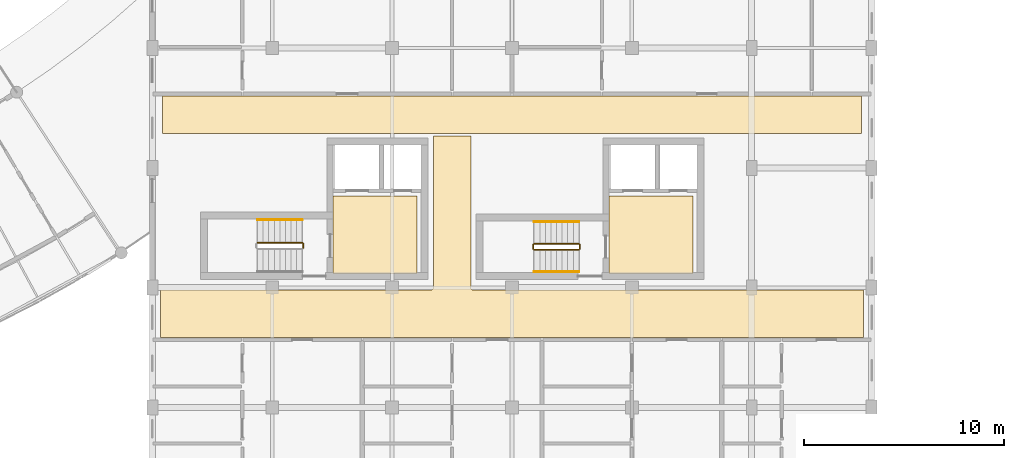
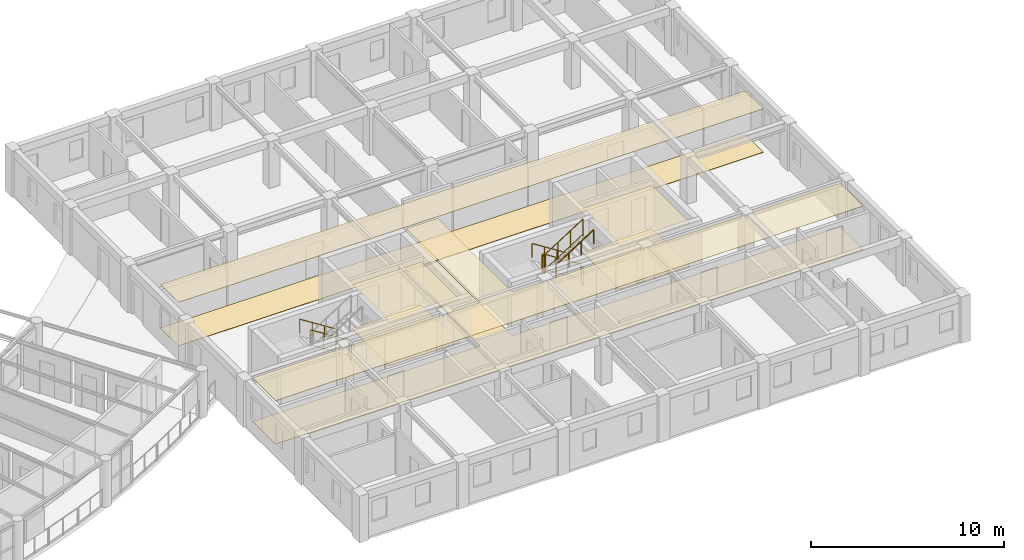
# One storey, part 93 of 100: 9 railings, 8 coverings.
"""IFC4 building model written with IfcOpenShell, lengths in metres."""

import ifcopenshell
import ifcopenshell.guid

model = None  # the IFC model being written
_history = None  # IfcOwnerHistory: only IFC2X3 demands one
_inside = {}  # id of a spatial element -> (the spatial element, [elements in it])
_under = {}  # id of a project, library or spatial element -> (it, [spatial elements below it])
_declared = {}  # id of a project -> (the project, [libraries it declares])
_typed = {}  # id of a type object -> (the type object, [elements of that type])
_made_of = {}  # id of a material, layer set ... -> (it, [elements and type objects made of it])


def new_model(schema):
    """Start an empty IFC model of exactly this schema.

    Asked for "IFC4X3", IfcOpenShell would pick the latest addendum, in which some entities
    have other attributes; the version numbers below select the first issue.
    IFC2X3 requires an IfcOwnerHistory on every rooted entity: one is made here for all.
    """
    global model, _history
    if schema == "IFC4X3":
        model = ifcopenshell.file(schema_version=(4, 3, 0, 0))
    else:
        model = ifcopenshell.file(schema=schema)
    _inside.clear()
    _under.clear()
    _declared.clear()
    _typed.clear()
    _made_of.clear()
    _history = None
    if model.schema == "IFC2X3":
        org = make("IfcOrganization", Name="unknown")
        user = make(
            "IfcPersonAndOrganization",
            ThePerson=make("IfcPerson", FamilyName="unknown"),
            TheOrganization=org,
        )
        app = make(
            "IfcApplication",
            ApplicationDeveloper=org,
            Version="unknown",
            ApplicationFullName="unknown",
            ApplicationIdentifier="unknown",
        )
        _history = make(
            "IfcOwnerHistory",
            OwningUser=user,
            OwningApplication=app,
            ChangeAction="ADDED",
            CreationDate=0,
        )
    return model


def make(cls, **values):
    """One entity of the class cls with the attributes given. An attribute that is None is left unset."""
    return model.create_entity(
        cls, **{name: value for name, value in values.items() if value is not None}
    )


def rooted(cls, **values):
    """An entity with a GlobalId (a new one), such as an element, a storey or a relation."""
    return make(cls, GlobalId=ifcopenshell.guid.new(), OwnerHistory=_history, **values)


def si_unit(unit_type, name, prefix=None):
    """IfcSIUnit, for example si_unit("LENGTHUNIT", "METRE", prefix="MILLI")."""
    return make("IfcSIUnit", UnitType=unit_type, Prefix=prefix, Name=name)


def assignment(units):
    """IfcUnitAssignment: the units of a project."""
    return None if units is None else make("IfcUnitAssignment", Units=units)


def point(xyz):
    """IfcCartesianPoint."""
    return None if xyz is None else make("IfcCartesianPoint", Coordinates=xyz)


def direction(xyz):
    """IfcDirection."""
    return None if xyz is None else make("IfcDirection", DirectionRatios=xyz)


def frame(location, z_axis=None, x_axis=None):
    """IfcAxis2Placement3D, a coordinate frame: its origin and axes. An axis left out is left unset."""
    return make(
        "IfcAxis2Placement3D",
        Location=point(location),
        Axis=direction(z_axis),
        RefDirection=direction(x_axis),
    )


def frame_2d(location, x_axis=None):
    """IfcAxis2Placement2D, a coordinate frame in the plane: its origin and x axis."""
    return make(
        "IfcAxis2Placement2D", Location=point(location), RefDirection=direction(x_axis)
    )


def origin():
    """The frame at (0, 0, 0) with its axes left unset."""
    return frame((0.0, 0.0, 0.0))


def origin_2d():
    """The frame at (0, 0) in the plane with its x axis left unset."""
    return frame_2d((0.0, 0.0))


def place(relative_to, where):
    """IfcLocalPlacement: puts the frame where relative to a parent placement (None: the world)."""
    return make(
        "IfcLocalPlacement", PlacementRelTo=relative_to, RelativePlacement=where
    )


def context(
    kind, dimensions, precision=None, world=None, true_north=None, identifier=None
):
    """IfcGeometricRepresentationContext, for example the 3D "Model" context."""
    return make(
        "IfcGeometricRepresentationContext",
        ContextIdentifier=identifier,
        ContextType=kind,
        CoordinateSpaceDimension=dimensions,
        Precision=precision,
        WorldCoordinateSystem=world,
        TrueNorth=true_north,
    )


def subcontext(parent, identifier, kind, view, scale=None):
    """IfcGeometricRepresentationSubContext, for example "Body" below "Model"."""
    return make(
        "IfcGeometricRepresentationSubContext",
        ContextIdentifier=identifier,
        ContextType=kind,
        ParentContext=parent,
        TargetScale=scale,
        TargetView=view,
    )


def project(units=None, contexts=None):
    """IfcProject with its units and contexts."""
    return rooted(
        "IfcProject",
        Name="project",
        RepresentationContexts=contexts,
        UnitsInContext=assignment(units),
    )


def spatial(cls, under=None, at=None, **own):
    """A site, building, storey or space (cls), placed at a placement, below another one or the project."""
    s = rooted(cls, ObjectPlacement=at, **own)
    if under is not None:
        _under.setdefault(under.id(), (under, []))[1].append(s)
    return s


def polyline(points):
    """IfcPolyline through the points."""
    return make("IfcPolyline", Points=[point(p) for p in points])


def profile(cls, at=None, kind="AREA", **sizes):
    """A parametric profile (cls). Its sizes go by their IFC names, for example OverallWidth=200.0."""
    return make(cls, ProfileType=kind, Position=at, **sizes)


def circle(**sizes):
    """IfcCircleProfileDef."""
    return profile("IfcCircleProfileDef", **sizes)


def outline(outer, holes=None, kind="AREA"):
    """IfcArbitraryClosedProfileDef: a profile drawn as a closed curve; with holes, ...WithVoids."""
    if holes is None:
        return make("IfcArbitraryClosedProfileDef", ProfileType=kind, OuterCurve=outer)
    return make(
        "IfcArbitraryProfileDefWithVoids",
        ProfileType=kind,
        OuterCurve=outer,
        InnerCurves=holes,
    )


def extrude(swept, where, along, depth):
    """IfcExtrudedAreaSolid: the profile swept, set in the frame where, extruded along a direction by depth."""
    return make(
        "IfcExtrudedAreaSolid",
        SweptArea=swept,
        Position=where,
        ExtrudedDirection=direction(along),
        Depth=depth,
    )


def shape(context_of_items, identifier, shape_type, items):
    """IfcShapeRepresentation: the items that make up one representation, for example the "Body"."""
    return make(
        "IfcShapeRepresentation",
        ContextOfItems=context_of_items,
        RepresentationIdentifier=identifier,
        RepresentationType=shape_type,
        Items=items,
    )


def material(Name=None, Category=None):
    """IfcMaterial."""
    return make("IfcMaterial", Name=Name, Category=Category)


def layer(
    of_material, thickness, ventilated=None, Name=None, Category=None, Priority=None
):
    """IfcMaterialLayer: one layer of a wall or slab, of a material (None: an air gap)."""
    return make(
        "IfcMaterialLayer",
        Material=of_material,
        LayerThickness=thickness,
        IsVentilated=ventilated,
        Name=Name,
        Category=Category,
        Priority=Priority,
    )


def layer_set(layers, Name=None):
    """IfcMaterialLayerSet."""
    return make("IfcMaterialLayerSet", MaterialLayers=layers, LayerSetName=Name)


def made_of(thing, what):
    """Note that an element or type object is made of a material, layer set ...; save() writes the relation."""
    if what is not None:
        _made_of.setdefault(what.id(), (what, []))[1].append(thing)
    return thing


def type_object(cls, material=None, **own):
    """A type object (cls), such as IfcWallType, which elements share."""
    return made_of(rooted(cls, **own), material)


def element(
    cls,
    number,
    at=None,
    inside=None,
    cuts=None,
    type_object=None,
    material=None,
    context=None,
    identifier="Body",
    shape_type=None,
    held_by="IfcProductDefinitionShape",
    body=None,
    shapes=None,
    **own,
):
    """One element of the class cls, such as IfcWall. Its Tag is "e" and its number.

    at: its placement. inside: the storey or other place that contains it. cuts: it is an
    opening in that element (IfcRelVoidsElement). A single representation is given by context,
    identifier, shape_type and body (its items); several are given by shapes. held_by: the class
    of the entity that holds the representations. save() writes the other relations.
    """
    e = rooted(cls, Tag="e%d" % number, ObjectPlacement=at, **own)
    if body is not None:
        shapes = [shape(context, identifier, shape_type, body)]
    if shapes is not None:
        e.Representation = make(held_by, Representations=shapes)
    if inside is not None:
        _inside.setdefault(inside.id(), (inside, []))[1].append(e)
    if cuts is not None:
        rooted(
            "IfcRelVoidsElement", RelatingBuildingElement=cuts, RelatedOpeningElement=e
        )
    if type_object is not None:
        _typed.setdefault(type_object.id(), (type_object, []))[1].append(e)
    return made_of(e, material)


def aggregate(whole, parts):
    """IfcRelAggregates: a whole, such as a stair, and the parts it consists of."""
    return rooted("IfcRelAggregates", RelatingObject=whole, RelatedObjects=parts)


def save(model, path):
    """Write the relations noted so far, then the file.

    IfcRelAggregates (storeys below a building ...), IfcRelContainedInSpatialStructure (elements
    in a storey), IfcRelDefinesByType, IfcRelAssociatesMaterial and IfcRelDeclares: one each for
    every whole, place, type object, material and project.
    """
    for whole, parts in _under.values():
        aggregate(whole, parts)
    for where, things in _inside.values():
        rooted(
            "IfcRelContainedInSpatialStructure",
            RelatedElements=things,
            RelatingStructure=where,
        )
    for kind, things in _typed.values():
        rooted("IfcRelDefinesByType", RelatedObjects=things, RelatingType=kind)
    for what, things in _made_of.values():
        rooted("IfcRelAssociatesMaterial", RelatedObjects=things, RelatingMaterial=what)
    for by, libraries in _declared.values():
        rooted("IfcRelDeclares", RelatingContext=by, RelatedDefinitions=libraries)
    model.write(path)


model = new_model("IFC4")

# Units and contexts
model_context = context("Model", 3, precision=1e-05, world=origin(), true_north=direction((0.0, 1.0)))
body_context = subcontext(model_context, "Body", "Model", "MODEL_VIEW")
ifc_project = project(units=[si_unit("LENGTHUNIT", "METRE"), si_unit("AREAUNIT", "SQUARE_METRE"), si_unit("VOLUMEUNIT", "CUBIC_METRE"), si_unit("PLANEANGLEUNIT", "RADIAN"), si_unit("MASSUNIT", "GRAM", prefix="KILO"), si_unit("POWERUNIT", "WATT"), si_unit("THERMODYNAMICTEMPERATUREUNIT", "KELVIN")], contexts=[model_context])

# Site, building, storey
site_placement = place(None, origin())
site = spatial("IfcSite", under=ifc_project, at=site_placement, CompositionType="ELEMENT")
building_placement = place(site_placement, origin())
building = spatial("IfcBuilding", under=site, at=building_placement, Name="Ruvembo Vaulted Housing Court", CompositionType="ELEMENT")
storey_placement = place(building_placement, frame((0.0, 0.0, 14.10009765625)))
storey = spatial("IfcBuildingStorey", under=building, at=storey_placement, Name="L04", CompositionType="ELEMENT", Elevation=14.10009765625)

# Coverings
ifc_material_1 = material(Name="Perforated Mineral-Fibre Acoustic Tile", Category="gypsum")
ifc_layer_1 = layer(ifc_material_1, 0.02001953125, Name="Perforated Mineral-Fibre Acoustic Tile")
ifc_layer_set_1 = layer_set([ifc_layer_1], Name="Perforated Mineral-Fibre Acoustic Tile")
covering_type_1 = type_object("IfcCoveringType", Name="COV-CEIL-ACOUST", PredefinedType="CEILING", material=ifc_layer_set_1)
covering_1_placement = place(storey_placement, frame((0.0, 0.0, 2.75)))
element("IfcCovering", 1, at=covering_1_placement, inside=storey, type_object=covering_type_1, Name="Protected Core Lobby C1 Ceiling", PredefinedType="CEILING", context=body_context, shape_type="SweptSolid", body=[
    extrude(outline(polyline([(115.25, 16.60009765625), (111.050048828125, 16.60009765625), (111.050048828125, 12.699951171875), (115.25, 12.699951171875), (115.25, 16.60009765625)])), origin(), (0.0, 0.0, 1.0), 0.02001953125),
])
covering_2_placement = place(storey_placement, frame((0.0, 0.0, 2.75)))
element("IfcCovering", 2, at=covering_2_placement, inside=storey, type_object=covering_type_1, Name="Protected Core Lobby C2 Ceiling", PredefinedType="CEILING", context=body_context, shape_type="SweptSolid", body=[
    extrude(outline(polyline([(129.050048828125, 16.60009765625), (124.85009765625, 16.60009765625), (124.85009765625, 12.699951171875), (129.050048828125, 12.699951171875), (129.050048828125, 16.60009765625)])), origin(), (0.0, 0.0, 1.0), 0.02001953125),
])
covering_3_placement = place(storey_placement, frame((0.0, 0.0, 2.75)))
element("IfcCovering", 3, at=covering_3_placement, inside=storey, type_object=covering_type_1, Name="Block C L04 Corridor Ceiling", PredefinedType="CEILING", context=body_context, shape_type="SweptSolid", body=[
    extrude(outline(polyline([(137.590087890625, 9.510009765625), (137.590087890625, 11.889892578125), (118.050048828125, 11.889892578125), (118.039306640625, 11.890380859375), (118.028564453125, 11.89208984375), (118.01806640625, 11.894775390625), (118.0078125, 11.8984375), (117.998046875, 11.903076171875), (117.989013671875, 11.908447265625), (117.980224609375, 11.9150390625), (117.97216796875, 11.922119140625), (117.965087890625, 11.93017578125), (117.95849609375, 11.93896484375), (117.952880859375, 11.947998046875), (117.948486328125, 11.9580078125), (117.944580078125, 11.968017578125), (117.942138671875, 11.978515625), (117.9404296875, 11.9892578125), (117.93994140625, 12.0), (117.93994140625, 19.590087890625), (116.06005859375, 19.590087890625), (116.06005859375, 12.0), (116.0595703125, 11.9892578125), (116.057861328125, 11.978515625), (116.055419921875, 11.968017578125), (116.051513671875, 11.9580078125), (116.047119140625, 11.947998046875), (116.04150390625, 11.93896484375), (116.034912109375, 11.93017578125), (116.02783203125, 11.922119140625), (116.019775390625, 11.9150390625), (116.010986328125, 11.908447265625), (116.001953125, 11.903076171875), (115.9921875, 11.8984375), (115.98193359375, 11.894775390625), (115.971435546875, 11.89208984375), (115.960693359375, 11.890380859375), (115.949951171875, 11.889892578125), (102.409912109375, 11.889892578125), (102.409912109375, 9.510009765625), (137.590087890625, 9.510009765625)])), origin(), (0.0, 0.0, 1.0), 0.02001953125),
])
covering_4_placement = place(storey_placement, frame((0.0, 0.0, 2.75)))
element("IfcCovering", 4, at=covering_4_placement, inside=storey, type_object=covering_type_1, Name="Block C L04 North Sub-Corridor Ceiling", PredefinedType="CEILING", context=body_context, shape_type="SweptSolid", body=[
    extrude(outline(polyline([(102.510009765625, 19.7099609375), (137.489990234375, 19.7099609375), (137.489990234375, 21.590087890625), (102.510009765625, 21.590087890625), (102.510009765625, 19.7099609375)])), origin(), (0.0, 0.0, 1.0), 0.02001953125),
])
ifc_material_2 = material(Name="Polished Cement-Aggregate Terrazzo", Category="stone")
ifc_layer_2 = layer(ifc_material_2, 0.02197265625, Name="Polished Cement-Aggregate Terrazzo")
ifc_layer_set_2 = layer_set([ifc_layer_2], Name="Polished Cement-Aggregate Terrazzo")
covering_type_2 = type_object("IfcCoveringType", Name="COV-FLR-CERAMIC", PredefinedType="FLOORING", material=ifc_layer_set_2)
covering_5_placement = place(storey_placement, origin())
element("IfcCovering", 5, at=covering_5_placement, inside=storey, type_object=covering_type_2, Name="Protected Core Lobby C1 Flooring", PredefinedType="FLOORING", context=body_context, shape_type="SweptSolid", body=[
    extrude(outline(polyline([(115.25, 16.60009765625), (111.050048828125, 16.60009765625), (111.050048828125, 12.699951171875), (115.25, 12.699951171875), (115.25, 16.60009765625)])), origin(), (0.0, 0.0, 1.0), 0.02197265625),
])
covering_6_placement = place(storey_placement, origin())
element("IfcCovering", 6, at=covering_6_placement, inside=storey, type_object=covering_type_2, Name="Protected Core Lobby C2 Flooring", PredefinedType="FLOORING", context=body_context, shape_type="SweptSolid", body=[
    extrude(outline(polyline([(129.050048828125, 16.60009765625), (124.85009765625, 16.60009765625), (124.85009765625, 12.699951171875), (129.050048828125, 12.699951171875), (129.050048828125, 16.60009765625)])), origin(), (0.0, 0.0, 1.0), 0.02197265625),
])
covering_7_placement = place(storey_placement, origin())
element("IfcCovering", 7, at=covering_7_placement, inside=storey, type_object=covering_type_2, Name="Block C L04 Corridor Flooring", PredefinedType="FLOORING", context=body_context, shape_type="SweptSolid", body=[
    extrude(outline(polyline([(137.590087890625, 9.510009765625), (137.590087890625, 11.889892578125), (118.050048828125, 11.889892578125), (118.039306640625, 11.890380859375), (118.028564453125, 11.89208984375), (118.01806640625, 11.894775390625), (118.0078125, 11.8984375), (117.998046875, 11.903076171875), (117.989013671875, 11.908447265625), (117.980224609375, 11.9150390625), (117.97216796875, 11.922119140625), (117.965087890625, 11.93017578125), (117.95849609375, 11.93896484375), (117.952880859375, 11.947998046875), (117.948486328125, 11.9580078125), (117.944580078125, 11.968017578125), (117.942138671875, 11.978515625), (117.9404296875, 11.9892578125), (117.93994140625, 12.0), (117.93994140625, 19.590087890625), (116.06005859375, 19.590087890625), (116.06005859375, 12.0), (116.0595703125, 11.9892578125), (116.057861328125, 11.978515625), (116.055419921875, 11.968017578125), (116.051513671875, 11.9580078125), (116.047119140625, 11.947998046875), (116.04150390625, 11.93896484375), (116.034912109375, 11.93017578125), (116.02783203125, 11.922119140625), (116.019775390625, 11.9150390625), (116.010986328125, 11.908447265625), (116.001953125, 11.903076171875), (115.9921875, 11.8984375), (115.98193359375, 11.894775390625), (115.971435546875, 11.89208984375), (115.960693359375, 11.890380859375), (115.949951171875, 11.889892578125), (102.409912109375, 11.889892578125), (102.409912109375, 9.510009765625), (137.590087890625, 9.510009765625)])), origin(), (0.0, 0.0, 1.0), 0.02197265625),
])
covering_8_placement = place(storey_placement, origin())
element("IfcCovering", 8, at=covering_8_placement, inside=storey, type_object=covering_type_2, Name="Block C L04 North Sub-Corridor Flooring", PredefinedType="FLOORING", context=body_context, shape_type="SweptSolid", body=[
    extrude(outline(polyline([(102.510009765625, 19.7099609375), (137.489990234375, 19.7099609375), (137.489990234375, 21.590087890625), (102.510009765625, 21.590087890625), (102.510009765625, 19.7099609375)])), origin(), (0.0, 0.0, 1.0), 0.02197265625),
])

# Railings
ifc_material_3 = material(Name="Painted Galvanised Steel S275", Category="steel")
ifc_layer_3 = layer(ifc_material_3, 0.06005859375, Name="Painted Galvanised Steel S275")
ifc_layer_set_3 = layer_set([ifc_layer_3], Name="Painted Galvanised Steel S275")
railing_type_1 = type_object("IfcRailingType", Name="RL-STAIR-GR1100", PredefinedType="GUARDRAIL", material=ifc_layer_set_3)
railing_1_placement = place(storey_placement, frame((109.5, 14.25, 0.177734375)))
element("IfcRailing", 9, at=railing_1_placement, inside=storey, type_object=railing_type_1, Name="L04 ST-C1 stair guard 1", PredefinedType="GUARDRAIL", context=body_context, shape_type="SweptSolid", body=[
    extrude(circle(Radius=0.02392578125, at=origin_2d()), frame((0.0, 0.0, 1.076171875), z_axis=(-0.8442293374, 0.0, 0.53598211339), x_axis=(0.0, -1.0, 0.0)), (0.0, 0.0, 1.0), 2.6533203125),
    extrude(circle(Radius=0.01806640625, at=origin_2d()), frame((0.0, 0.0, 0.1201171875), z_axis=(-0.8442293374, 0.0, 0.53598211339), x_axis=(0.0, -1.0, 0.0)), (0.0, 0.0, 1.0), 2.6533203125),
    extrude(circle(Radius=0.02099609375, at=origin_2d()), origin(), (0.0, 0.0, 1.0), 1.052001953125),
    extrude(circle(Radius=0.02099609375, at=origin_2d()), frame((-0.74658203125, 0.0, 0.47412109375)), (0.0, 0.0, 1.0), 1.052001953125),
    extrude(circle(Radius=0.02099609375, at=origin_2d()), frame((-1.493408203125, 0.0, 0.947998046875)), (0.0, 0.0, 1.0), 1.052001953125),
    extrude(circle(Radius=0.02099609375, at=origin_2d()), frame((-2.239990234375, 0.0, 1.422119140625)), (0.0, 0.0, 1.0), 1.052001953125),
])
railing_2_placement = place(storey_placement, frame((109.550048828125, 14.199951171875, 0.0)))
element("IfcRailing", 10, at=railing_2_placement, inside=storey, type_object=railing_type_1, Name="L04 ST-C1 stair guard 4", PredefinedType="GUARDRAIL", context=body_context, shape_type="SweptSolid", body=[
    extrude(circle(Radius=0.02392578125, at=origin_2d()), frame((0.0, 0.0, 1.076171875), z_axis=(0.0, -1.0, 0.0), x_axis=(1.0, 0.0, 0.0)), (0.0, 0.0, 1.0), 0.199951171875),
    extrude(circle(Radius=0.01806640625, at=origin_2d()), frame((0.0, 0.0, 0.1201171875), z_axis=(0.0, -1.0, 0.0), x_axis=(1.0, 0.0, 0.0)), (0.0, 0.0, 1.0), 0.199951171875),
    extrude(circle(Radius=0.02099609375, at=origin_2d()), origin(), (0.0, 0.0, 1.0), 1.052001953125),
    extrude(circle(Radius=0.02099609375, at=origin_2d()), frame((0.0, -0.199951171875, 0.0)), (0.0, 0.0, 1.0), 1.052001953125),
])
railing_3_placement = place(storey_placement, frame((123.35009765625, 14.199951171875, 0.177734375)))
element("IfcRailing", 11, at=railing_3_placement, inside=storey, type_object=railing_type_1, Name="L04 ST-C2 stair guard 1", PredefinedType="GUARDRAIL", context=body_context, shape_type="SweptSolid", body=[
    extrude(circle(Radius=0.02392578125, at=origin_2d()), frame((0.0, 0.0, 1.076171875), z_axis=(-0.8442293374, 0.0, 0.53598211339), x_axis=(0.0, -1.0, 0.0)), (0.0, 0.0, 1.0), 2.6533203125),
    extrude(circle(Radius=0.01806640625, at=origin_2d()), frame((0.0, 0.0, 0.1201171875), z_axis=(-0.8442293374, 0.0, 0.53598211339), x_axis=(0.0, -1.0, 0.0)), (0.0, 0.0, 1.0), 2.6533203125),
    extrude(circle(Radius=0.02099609375, at=origin_2d()), origin(), (0.0, 0.0, 1.0), 1.052001953125),
    extrude(circle(Radius=0.02099609375, at=origin_2d()), frame((-0.74658203125, 0.0, 0.47412109375)), (0.0, 0.0, 1.0), 1.052001953125),
    extrude(circle(Radius=0.02099609375, at=origin_2d()), frame((-1.493408203125, 0.0, 0.947998046875)), (0.0, 0.0, 1.0), 1.052001953125),
    extrude(circle(Radius=0.02099609375, at=origin_2d()), frame((-2.239990234375, 0.0, 1.422119140625)), (0.0, 0.0, 1.0), 1.052001953125),
])
railing_4_placement = place(storey_placement, frame((121.06005859375, 14.14990234375, 1.599853515625)))
element("IfcRailing", 12, at=railing_4_placement, inside=storey, type_object=railing_type_1, Name="L04 ST-C2 stair guard 2", PredefinedType="GUARDRAIL", context=body_context, shape_type="SweptSolid", body=[
    extrude(circle(Radius=0.02392578125, at=origin_2d()), frame((0.0, 0.0, 1.076171875), z_axis=(0.0, -1.0, 0.0), x_axis=(1.0, 0.0, 0.0)), (0.0, 0.0, 1.0), 0.199951171875),
    extrude(circle(Radius=0.01806640625, at=origin_2d()), frame((0.0, 0.0, 0.1201171875), z_axis=(0.0, -1.0, 0.0), x_axis=(1.0, 0.0, 0.0)), (0.0, 0.0, 1.0), 0.199951171875),
    extrude(circle(Radius=0.02099609375, at=origin_2d()), origin(), (0.0, 0.0, 1.0), 1.052001953125),
    extrude(circle(Radius=0.02099609375, at=origin_2d()), frame((0.0, -0.199951171875, 0.0)), (0.0, 0.0, 1.0), 1.052001953125),
])
railing_5_placement = place(storey_placement, frame((121.110107421875, 13.89990234375, 1.777587890625)))
element("IfcRailing", 13, at=railing_5_placement, inside=storey, type_object=railing_type_1, Name="L04 ST-C2 stair guard 3", PredefinedType="GUARDRAIL", context=body_context, shape_type="SweptSolid", body=[
    extrude(circle(Radius=0.02392578125, at=origin_2d()), frame((0.0, 0.0, 1.076171875), z_axis=(0.84418770128, 0.0, 0.536047689118), x_axis=(0.0, 1.0, 0.0)), (0.0, 0.0, 1.0), 2.6533203125),
    extrude(circle(Radius=0.01806640625, at=origin_2d()), frame((0.0, 0.0, 0.1201171875), z_axis=(0.84418770128, 0.0, 0.536047689118), x_axis=(0.0, 1.0, 0.0)), (0.0, 0.0, 1.0), 2.6533203125),
    extrude(circle(Radius=0.02099609375, at=origin_2d()), origin(), (0.0, 0.0, 1.0), 1.052001953125),
    extrude(circle(Radius=0.02099609375, at=origin_2d()), frame((0.74658203125, 0.0, 0.47412109375)), (0.0, 0.0, 1.0), 1.052001953125),
    extrude(circle(Radius=0.02099609375, at=origin_2d()), frame((1.493408203125, 0.0, 0.9482421875)), (0.0, 0.0, 1.0), 1.052001953125),
    extrude(circle(Radius=0.02099609375, at=origin_2d()), frame((2.239990234375, 0.0, 1.42236328125)), (0.0, 0.0, 1.0), 1.052001953125),
])
railing_6_placement = place(storey_placement, frame((123.39990234375, 14.14990234375, 0.0)))
element("IfcRailing", 14, at=railing_6_placement, inside=storey, type_object=railing_type_1, Name="L04 ST-C2 stair guard 4", PredefinedType="GUARDRAIL", context=body_context, shape_type="SweptSolid", body=[
    extrude(circle(Radius=0.02392578125, at=origin_2d()), frame((0.0, 0.0, 1.076171875), z_axis=(0.0, -1.0, 0.0), x_axis=(1.0, 0.0, 0.0)), (0.0, 0.0, 1.0), 0.199951171875),
    extrude(circle(Radius=0.01806640625, at=origin_2d()), frame((0.0, 0.0, 0.1201171875), z_axis=(0.0, -1.0, 0.0), x_axis=(1.0, 0.0, 0.0)), (0.0, 0.0, 1.0), 0.199951171875),
    extrude(circle(Radius=0.02099609375, at=origin_2d()), origin(), (0.0, 0.0, 1.0), 1.052001953125),
    extrude(circle(Radius=0.02099609375, at=origin_2d()), frame((0.0, -0.199951171875, 0.0)), (0.0, 0.0, 1.0), 1.052001953125),
])
ifc_material_4 = material(Name="Brushed Stainless Steel 304", Category="steel")
ifc_layer_4 = layer(ifc_material_4, 0.050048828125, Name="Brushed Stainless Steel 304")
ifc_layer_set_4 = layer_set([ifc_layer_4], Name="Brushed Stainless Steel 304")
railing_type_2 = type_object("IfcRailingType", Name="RL-STAIR-HR920", PredefinedType="HANDRAIL", material=ifc_layer_set_4)
for number, where, name in (
    (15, (109.5, 15.39990234375, 0.359130859375), "L04 ST-C1 stair handrail 1"),
    (16, (123.35009765625, 15.300048828125, 0.359130859375), "L04 ST-C2 stair handrail 1"),
):
    element("IfcRailing", number, at=place(storey_placement, frame(where)), inside=storey, type_object=railing_type_2, Name=name, PredefinedType="HANDRAIL", context=body_context, shape_type="SweptSolid", body=[
        extrude(circle(Radius=0.02392578125, at=origin_2d()), frame((0.0, 0.0, 0.8759765625), z_axis=(-0.84418770128, 0.0, 0.536047689118), x_axis=(0.0, -1.0, 0.0)), (0.0, 0.0, 1.0), 2.6533203125),
        extrude(circle(Radius=0.02099609375, at=origin_2d()), origin(), (0.0, 0.0, 1.0), 0.851806640625),
        extrude(circle(Radius=0.02099609375, at=origin_2d()), frame((-0.74658203125, 0.0, 0.47412109375)), (0.0, 0.0, 1.0), 0.851806640625),
        extrude(circle(Radius=0.02099609375, at=origin_2d()), frame((-1.493408203125, 0.0, 0.9482421875)), (0.0, 0.0, 1.0), 0.851806640625),
        extrude(circle(Radius=0.02099609375, at=origin_2d()), frame((-2.239990234375, 0.0, 1.42236328125)), (0.0, 0.0, 1.0), 0.851806640625),
    ])
railing_7_placement = place(storey_placement, frame((121.110107421875, 12.800048828125, 1.959228515625)))
element("IfcRailing", 17, at=railing_7_placement, inside=storey, type_object=railing_type_2, Name="L04 ST-C2 stair handrail 2", PredefinedType="HANDRAIL", context=body_context, shape_type="SweptSolid", body=[
    extrude(circle(Radius=0.02392578125, at=origin_2d()), frame((0.0, 0.0, 0.8759765625), z_axis=(0.8442293374, 0.0, 0.53598211339), x_axis=(0.0, 1.0, 0.0)), (0.0, 0.0, 1.0), 2.6533203125),
    extrude(circle(Radius=0.02099609375, at=origin_2d()), origin(), (0.0, 0.0, 1.0), 0.851806640625),
    extrude(circle(Radius=0.02099609375, at=origin_2d()), frame((0.74658203125, 0.0, 0.47412109375)), (0.0, 0.0, 1.0), 0.851806640625),
    extrude(circle(Radius=0.02099609375, at=origin_2d()), frame((1.493408203125, 0.0, 0.947998046875)), (0.0, 0.0, 1.0), 0.851806640625),
    extrude(circle(Radius=0.02099609375, at=origin_2d()), frame((2.239990234375, 0.0, 1.422119140625)), (0.0, 0.0, 1.0), 0.851806640625),
])

save(model, "model.ifc")
